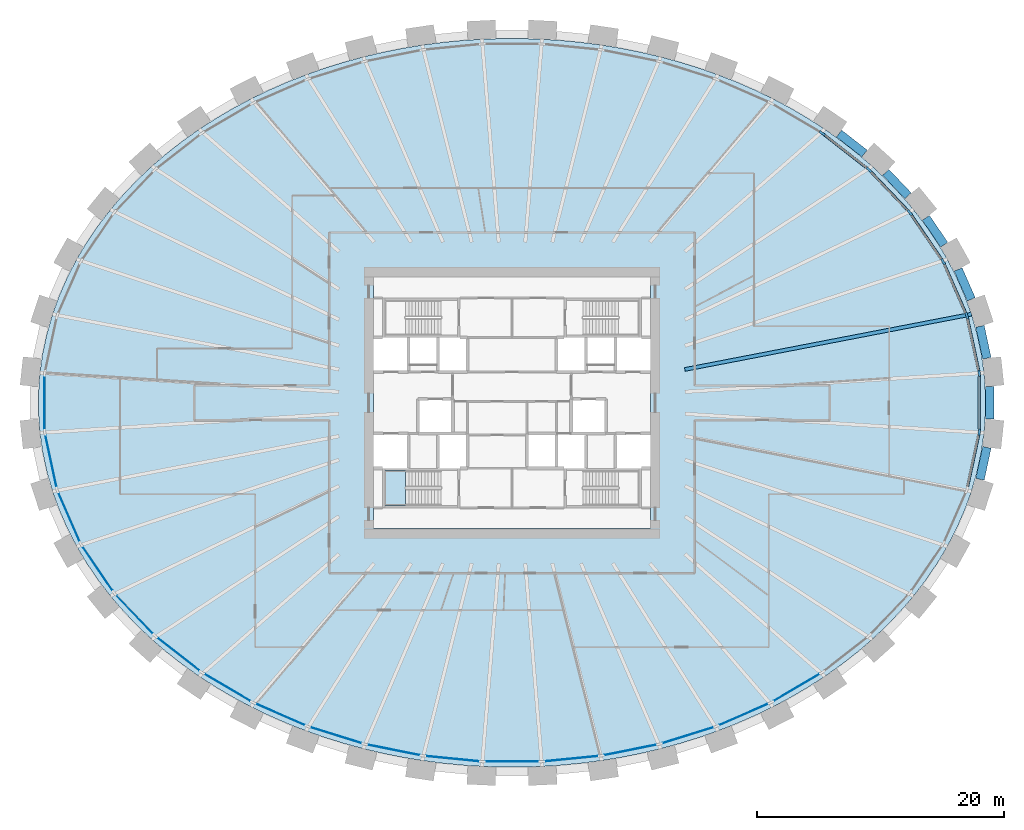
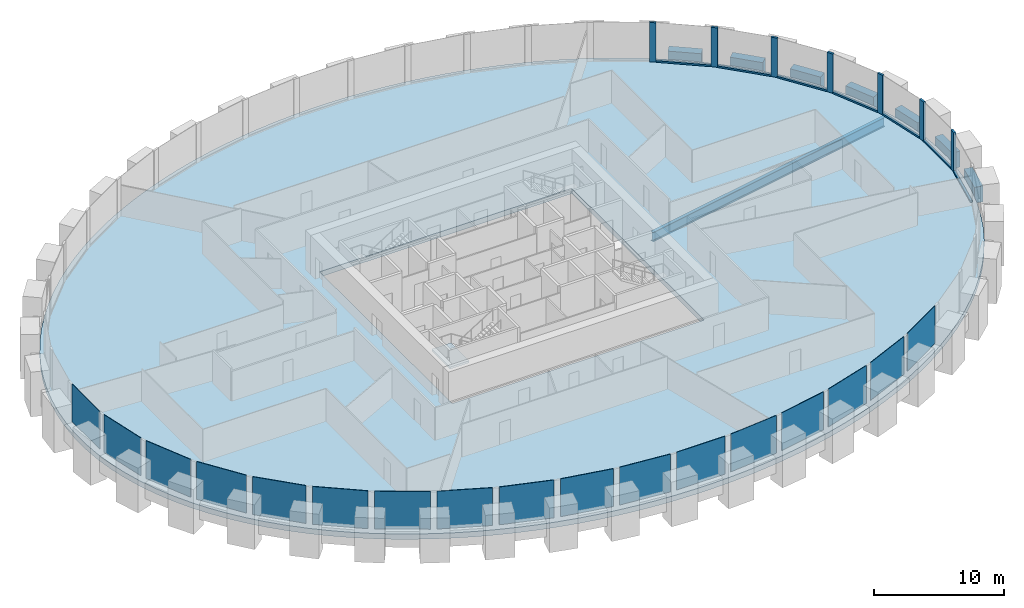
# One storey, part 4 of 11: 17 plates, 14 members, 8 beams, 2 slabs, 2 elements without a shape of their own.
"""IFC4 building model written with IfcOpenShell, lengths in metres."""

from ifc_helpers import new_model, si_unit, direction, frame, origin, origin_2d, place, context, subcontext, project, spatial, polyline, rectangle, i_section, outline, extrude, source, transform, mapped, material, layer, layer_set, material_profile, profile_set, type_object, element, aggregate, save


model = new_model("IFC4")

# Units and contexts
model_context = context("Model", 3, precision=1e-05, world=origin(), true_north=direction((0.0, 1.0)))
body_context = subcontext(model_context, "Body", "Model", "MODEL_VIEW")
ifc_project = project(units=[si_unit("LENGTHUNIT", "METRE"), si_unit("AREAUNIT", "SQUARE_METRE"), si_unit("VOLUMEUNIT", "CUBIC_METRE"), si_unit("PLANEANGLEUNIT", "RADIAN"), si_unit("MASSUNIT", "GRAM", prefix="KILO")], contexts=[model_context])

# Site, building, storey
site_placement = place(None, origin())
site = spatial("IfcSite", under=ifc_project, at=site_placement, CompositionType="ELEMENT")
building_placement = place(site_placement, origin())
building = spatial("IfcBuilding", under=site, at=building_placement, Name="Embergate Tower", CompositionType="ELEMENT")
storey_placement = place(building_placement, frame((0.0, 0.0, 132.0)))
storey = spatial("IfcBuildingStorey", under=building, at=storey_placement, Name="L28", CompositionType="ELEMENT", Elevation=132.0)

# Beams
ifc_material_1 = material(Name="Concrete C70", Category="concrete")
ifc_material_profile_1 = material_profile(ifc_material_1, rectangle(XDim=0.699951171875, YDim=1.5, at=origin_2d()), Name="RC 700x1500")
ifc_profile_set_1 = profile_set([ifc_material_profile_1], Name="Concrete C70")
beam_type_1 = type_object("IfcBeamType", Name="Spandrel beam RC 700x1500 C70", PredefinedType="BEAM", material=ifc_profile_set_1)
shared_shape_1 = source(origin(), body_context, "Body", "SweptSolid", [
    extrude(rectangle(XDim=0.699951171875, YDim=1.5, at=origin_2d()), origin(), (0.0, 0.0, 1.0), 2.644287109375),
])
for number, where, z_axis, x_axis, name in (
    (1, (38.462890625, 3.610107421875, 0.0), (-0.210600871974, 0.977572131724, 0.0), (-0.977572131724, -0.210600871974, 0.0), "SPN-L28-00"),
    (2, (37.906005859375, -6.195068359375, 0.0), (0.210600871974, 0.977572131724, 0.0), (-0.977572131724, 0.210600871974, 0.0), "SPN-L28-42"),
):
    element("IfcBeam", number, at=place(storey_placement, frame(where, z_axis=z_axis, x_axis=x_axis)), inside=storey, type_object=beam_type_1, Name=name, PredefinedType="BEAM", context=body_context, shape_type="MappedRepresentation", body=[
        mapped(shared_shape_1, transform((0.0, 0.0, 0.0))),
    ])
shared_shape_2 = source(origin(), body_context, "Body", "SweptSolid", [
    extrude(rectangle(XDim=0.699951171875, YDim=1.5, at=origin_2d()), origin(), (0.0, 0.0, 1.0), 2.640625),
])
beam_1_placement = place(storey_placement, frame((37.198974609375, 8.383056640625, 0.0), z_axis=(-0.401827456717, 0.915715400672, 0.0), x_axis=(-0.915715400672, -0.401827456717, 0.0)))
element("IfcBeam", 3, at=beam_1_placement, inside=storey, type_object=beam_type_1, Name="SPN-L28-01", PredefinedType="BEAM", context=body_context, shape_type="MappedRepresentation", body=[
    mapped(shared_shape_2, transform((0.0, 0.0, 0.0))),
])
shared_shape_3 = source(origin(), body_context, "Body", "SweptSolid", [
    extrude(rectangle(XDim=0.699951171875, YDim=1.5, at=origin_2d()), origin(), (0.0, 0.0, 1.0), 2.63037109375),
])
beam_2_placement = place(storey_placement, frame((35.007080078125, 12.803955078125, 0.0), z_axis=(-0.562302404878, 0.826931681258, 0.0), x_axis=(-0.826931681258, -0.562302404878, 0.0)))
element("IfcBeam", 4, at=beam_2_placement, inside=storey, type_object=beam_type_1, Name="SPN-L28-02", PredefinedType="BEAM", context=body_context, shape_type="MappedRepresentation", body=[
    mapped(shared_shape_3, transform((0.0, 0.0, 0.0))),
])
shared_shape_4 = source(origin(), body_context, "Body", "SweptSolid", [
    extrude(rectangle(XDim=0.699951171875, YDim=1.5, at=origin_2d()), origin(), (0.0, 0.0, 1.0), 2.6240234375),
])
beam_3_placement = place(storey_placement, frame((32.08203125, 16.76806640625, 0.0), z_axis=(-0.690161462012, 0.723655412716, 0.0), x_axis=(-0.723655412716, -0.690161462012, 0.0)))
element("IfcBeam", 5, at=beam_3_placement, inside=storey, type_object=beam_type_1, Name="SPN-L28-03", PredefinedType="BEAM", context=body_context, shape_type="MappedRepresentation", body=[
    mapped(shared_shape_4, transform((0.0, 0.0, 0.0))),
])
shared_shape_5 = source(origin(), body_context, "Body", "SweptSolid", [
    extrude(rectangle(XDim=0.699951171875, YDim=1.5, at=origin_2d()), origin(), (0.0, 0.0, 1.0), 2.617431640625),
])
beam_4_placement = place(storey_placement, frame((28.552978515625, 20.196044921875, 0.0), z_axis=(-0.788185558189, 0.615437670169, 0.0), x_axis=(-0.615437670169, -0.788185558189, 0.0)))
element("IfcBeam", 6, at=beam_4_placement, inside=storey, type_object=beam_type_1, Name="SPN-L28-04", PredefinedType="BEAM", context=body_context, shape_type="MappedRepresentation", body=[
    mapped(shared_shape_5, transform((0.0, 0.0, 0.0))),
])
shared_shape_6 = source(origin(), body_context, "Body", "SweptSolid", [
    extrude(rectangle(XDim=0.699951171875, YDim=1.5, at=origin_2d()), origin(), (0.0, 0.0, 1.0), 2.64599609375),
])
beam_5_placement = place(storey_placement, frame((38.7060546875, -1.322998046875, 0.0), z_axis=(0.0, 1.0, 0.0), x_axis=(-1.0, 0.0, 0.0)))
element("IfcBeam", 7, at=beam_5_placement, inside=storey, type_object=beam_type_1, Name="SPN-L28-43", PredefinedType="BEAM", context=body_context, shape_type="MappedRepresentation", body=[
    mapped(shared_shape_6, transform((0.0, 0.0, 0.0))),
])
ifc_material_2 = material(Name="Steel Q355B", Category="steel")
ifc_material_profile_2 = material_profile(ifc_material_2, i_section(OverallWidth=0.300048828125, OverallDepth=0.89990234375, WebThickness=0.01611328125, FlangeThickness=0.028076171875, FilletRadius=0.028076171875, at=origin_2d()), Name="HN 900x300x16x28")
ifc_profile_set_2 = profile_set([ifc_material_profile_2], Name="Steel Q355 grade B")
beam_type_2 = type_object("IfcBeamType", Name="Radial girder HN 900x300x16x28", PredefinedType="BEAM", material=ifc_profile_set_2)
shared_shape_7 = source(origin(), body_context, "Body", "SweptSolid", [
    extrude(i_section(OverallWidth=0.300048828125, OverallDepth=0.89990234375, WebThickness=0.01611328125, FlangeThickness=0.028076171875, FilletRadius=0.028076171875, at=origin_2d()), origin(), (0.0, 0.0, 1.0), 23.64208984375),
])
beam_6_placement = place(storey_placement, frame((37.214111328125, 7.178955078125, -0.949951171875), z_axis=(-0.981898233301, -0.189409238, 0.0), x_axis=(0.189409238, -0.981898233301, 0.0)))
element("IfcBeam", 8, at=beam_6_placement, inside=storey, type_object=beam_type_2, Name="GIR-L28-01", PredefinedType="BEAM", context=body_context, shape_type="MappedRepresentation", body=[
    mapped(shared_shape_7, transform((0.0, 0.0, 0.0))),
])

# Curtain wall, members
ifc_material_3 = material(Name="Aluminium and glass", Category="aluminium")
curtain_wall_type = type_object("IfcCurtainWallType", Name="Recessed office glazing", PredefinedType="NOTDEFINED", material=ifc_material_3)
curtain_wall_placement = place(storey_placement, origin())
curtain_wall = element("IfcCurtainWall", 9, at=curtain_wall_placement, inside=storey, type_object=curtain_wall_type, Name="Recessed office glazing ring", ObjectType="RECESSED OFFICE GLAZING", PredefinedType="USERDEFINED")
ifc_material_4 = material(Name="Aluminium, thermally broken", Category="aluminium")
ifc_material_profile_3 = material_profile(ifc_material_4, rectangle(XDim=0.179931640625, YDim=0.52001953125, at=origin_2d()), Name="AL 520x180")
ifc_profile_set_3 = profile_set([ifc_material_profile_3], Name="Aluminium, thermally broken")
member_type_1 = type_object("IfcMemberType", Name="Office mullion", PredefinedType="MULLION", material=ifc_profile_set_3)
shared_shape_8 = source(origin(), body_context, "Body", "SweptSolid", [
    extrude(rectangle(XDim=0.179931640625, YDim=0.52001953125, at=origin_2d()), origin(), (0.0, 0.0, 1.0), 3.699951171875),
])
member_1_placement = place(storey_placement, frame((37.84814453125, 2.38720703125, 0.0), z_axis=(0.0, 0.0, 1.0), x_axis=(-0.994384954736, -0.105823257345, 0.0)))
member_1 = element("IfcMember", 10, at=member_1_placement, type_object=member_type_1, Name="CW mullion 1", PredefinedType="MULLION", context=body_context, shape_type="MappedRepresentation", body=[
    mapped(shared_shape_8, transform((0.0, 0.0, 0.0))),
])
member_2_placement = place(storey_placement, frame((36.843017578125, 7.0576171875, 0.0), z_axis=(0.0, 0.0, 1.0), x_axis=(-0.951498334951, -0.307653894149, 0.0)))
member_2 = element("IfcMember", 11, at=member_2_placement, type_object=member_type_1, Name="CW mullion 2", PredefinedType="MULLION", context=body_context, shape_type="MappedRepresentation", body=[
    mapped(shared_shape_8, transform((0.0, 0.0, 0.0))),
])
member_3_placement = place(storey_placement, frame((34.92138671875, 11.43896484375, 0.0), z_axis=(0.0, 0.0, 1.0), x_axis=(-0.875001895832, -0.484119491748, 0.0)))
member_3 = element("IfcMember", 12, at=member_3_placement, type_object=member_type_1, Name="CW mullion 3", PredefinedType="MULLION", context=body_context, shape_type="MappedRepresentation", body=[
    mapped(shared_shape_8, transform((0.0, 0.0, 0.0))),
])
member_4_placement = place(storey_placement, frame((32.22607421875, 15.40234375, 0.0), z_axis=(0.0, 0.0, 1.0), x_axis=(-0.777872564355, -0.628422050555, 0.0)))
member_4 = element("IfcMember", 13, at=member_4_placement, type_object=member_type_1, Name="CW mullion 4", PredefinedType="MULLION", context=body_context, shape_type="MappedRepresentation", body=[
    mapped(shared_shape_8, transform((0.0, 0.0, 0.0))),
])
member_5_placement = place(storey_placement, frame((28.912109375, 18.87744140625, 0.0), z_axis=(0.0, 0.0, 1.0), x_axis=(-0.671225240226, -0.741253449829, 0.0)))
member_5 = element("IfcMember", 14, at=member_5_placement, type_object=member_type_1, Name="CW mullion 5", PredefinedType="MULLION", context=body_context, shape_type="MappedRepresentation", body=[
    mapped(shared_shape_8, transform((0.0, 0.0, 0.0))),
])
member_6_placement = place(storey_placement, frame((25.12060546875, 21.83642578125, 0.0), z_axis=(0.0, 0.0, 1.0), x_axis=(-0.562214731803, -0.826991290972, 0.0)))
member_6 = element("IfcMember", 15, at=member_6_placement, type_object=member_type_1, Name="CW mullion 6", PredefinedType="MULLION", context=body_context, shape_type="MappedRepresentation", body=[
    mapped(shared_shape_8, transform((0.0, 0.0, 0.0))),
])
member_7_placement = place(storey_placement, frame((37.84814453125, -2.38720703125, 0.0), z_axis=(0.0, 0.0, 1.0), x_axis=(-0.994384954736, 0.105823257345, 0.0)))
member_7 = element("IfcMember", 16, at=member_7_placement, type_object=member_type_1, Name="CW mullion 44", PredefinedType="MULLION", context=body_context, shape_type="MappedRepresentation", body=[
    mapped(shared_shape_8, transform((0.0, 0.0, 0.0))),
])
ifc_material_profile_4 = material_profile(ifc_material_4, rectangle(XDim=0.179931640625, YDim=0.14990234375, at=origin_2d()), Name="AL 150x180")
ifc_profile_set_4 = profile_set([ifc_material_profile_4], Name="Aluminium, thermally broken")
member_type_2 = type_object("IfcMemberType", Name="Office sill transom", PredefinedType="USERDEFINED", material=ifc_profile_set_4)
shared_shape_9 = source(origin(), body_context, "Body", "SweptSolid", [
    extrude(rectangle(XDim=0.179931640625, YDim=0.14990234375, at=origin_2d()), origin(), (0.0, 0.0, 1.0), 4.25732421875),
])
member_8_placement = place(storey_placement, frame((37.79345703125, 2.641357421875, 0.074951171875), z_axis=(-0.210398410423, 0.977615726598, 0.0), x_axis=(-0.977615726598, -0.210398410423, 0.0)))
member_8 = element("IfcMember", 17, at=member_8_placement, type_object=member_type_2, Name="CW transom 1.1", ObjectType="TRANSOM", PredefinedType="USERDEFINED", context=body_context, shape_type="MappedRepresentation", body=[
    mapped(shared_shape_9, transform((0.0, 0.0, 0.0))),
])
member_9_placement = place(storey_placement, frame((36.897705078125, -6.803466796875, 0.074951171875), z_axis=(0.210398410423, 0.977615726598, 0.0), x_axis=(-0.977615726598, 0.210398410423, 0.0)))
member_9 = element("IfcMember", 18, at=member_9_placement, type_object=member_type_2, Name="CW transom 43.1", ObjectType="TRANSOM", PredefinedType="USERDEFINED", context=body_context, shape_type="MappedRepresentation", body=[
    mapped(shared_shape_9, transform((0.0, 0.0, 0.0))),
])
shared_shape_10 = source(origin(), body_context, "Body", "SweptSolid", [
    extrude(rectangle(XDim=0.179931640625, YDim=0.14990234375, at=origin_2d()), origin(), (0.0, 0.0, 1.0), 4.26416015625),
])
member_10_placement = place(storey_placement, frame((36.738525390625, 7.295654296875, 0.074951171875), z_axis=(-0.401644646583, 0.915795598303, 0.0), x_axis=(-0.915795598303, -0.401644646583, 0.0)))
member_10 = element("IfcMember", 19, at=member_10_placement, type_object=member_type_2, Name="CW transom 2.1", ObjectType="TRANSOM", PredefinedType="USERDEFINED", context=body_context, shape_type="MappedRepresentation", body=[
    mapped(shared_shape_10, transform((0.0, 0.0, 0.0))),
])
shared_shape_11 = source(origin(), body_context, "Body", "SweptSolid", [
    extrude(rectangle(XDim=0.179931640625, YDim=0.14990234375, at=origin_2d()), origin(), (0.0, 0.0, 1.0), 4.273193359375),
])
member_11_placement = place(storey_placement, frame((34.775146484375, 11.65380859375, 0.074951171875), z_axis=(-0.562297519714, 0.826935003083, 0.0), x_axis=(-0.826935003083, -0.562297519714, 0.0)))
member_11 = element("IfcMember", 20, at=member_11_placement, type_object=member_type_2, Name="CW transom 3.1", ObjectType="TRANSOM", PredefinedType="USERDEFINED", context=body_context, shape_type="MappedRepresentation", body=[
    mapped(shared_shape_11, transform((0.0, 0.0, 0.0))),
])
shared_shape_12 = source(origin(), body_context, "Body", "SweptSolid", [
    extrude(rectangle(XDim=0.179931640625, YDim=0.14990234375, at=origin_2d()), origin(), (0.0, 0.0, 1.0), 4.28173828125),
])
member_12_placement = place(storey_placement, frame((32.04638671875, 15.590576171875, 0.074951171875), z_axis=(-0.690114923588, 0.72369979428, 0.0), x_axis=(-0.72369979428, -0.690114923588, 0.0)))
member_12 = element("IfcMember", 21, at=member_12_placement, type_object=member_type_2, Name="CW transom 4.1", ObjectType="TRANSOM", PredefinedType="USERDEFINED", context=body_context, shape_type="MappedRepresentation", body=[
    mapped(shared_shape_12, transform((0.0, 0.0, 0.0))),
])
shared_shape_13 = source(origin(), body_context, "Body", "SweptSolid", [
    extrude(rectangle(XDim=0.179931640625, YDim=0.14990234375, at=origin_2d()), origin(), (0.0, 0.0, 1.0), 4.289306640625),
])
member_13_placement = place(storey_placement, frame((28.70703125, 19.037353515625, 0.074951171875), z_axis=(-0.788309050115, 0.615279482436, 0.0), x_axis=(-0.615279482436, -0.788309050115, 0.0)))
member_13 = element("IfcMember", 22, at=member_13_placement, type_object=member_type_2, Name="CW transom 5.1", ObjectType="TRANSOM", PredefinedType="USERDEFINED", context=body_context, shape_type="MappedRepresentation", body=[
    mapped(shared_shape_13, transform((0.0, 0.0, 0.0))),
])
shared_shape_14 = source(origin(), body_context, "Body", "SweptSolid", [
    extrude(rectangle(XDim=0.179931640625, YDim=0.14990234375, at=origin_2d()), origin(), (0.0, 0.0, 1.0), 4.25439453125),
])
member_14_placement = place(storey_placement, frame((37.84814453125, -2.127197265625, 0.074951171875), z_axis=(0.0, 1.0, 0.0), x_axis=(-1.0, 0.0, 0.0)))
member_14 = element("IfcMember", 23, at=member_14_placement, type_object=member_type_2, Name="CW transom 44.1", ObjectType="TRANSOM", PredefinedType="USERDEFINED", context=body_context, shape_type="MappedRepresentation", body=[
    mapped(shared_shape_14, transform((0.0, 0.0, 0.0))),
])

# Slab
ifc_material_5 = material(Name="Concrete C40", Category="concrete")
ifc_layer_1 = layer(ifc_material_5, 0.5)
ifc_layer_set_1 = layer_set([ifc_layer_1], Name="Concrete C40")
slab_type_1 = type_object("IfcSlabType", Name="Composite floor slab C40 500", PredefinedType="FLOOR", material=ifc_layer_set_1)
shared_shape_15 = source(origin(), body_context, "Body", "SweptSolid", [
    extrude(outline(polyline([(0.0, 0.0), (1.6220703125, 0.0), (3.244140625, 0.052001953125), (4.865966796875, 0.157958984375), (6.48095703125, 0.31689453125), (8.0849609375, 0.52783203125), (9.693115234375, 0.794921875), (11.283935546875, 1.11376953125), (12.85498046875, 1.48486328125), (14.43115234375, 1.914794921875), (15.97998046875, 2.39794921875), (17.5, 2.931884765625), (19.02294921875, 3.52978515625), (20.510009765625, 4.179931640625), (21.95703125, 4.8798828125), (23.403076171875, 5.65283203125), (24.802001953125, 6.474853515625), (26.150146484375, 7.345947265625), (27.489013671875, 8.2958984375), (28.76806640625, 9.2939453125), (29.984130859375, 10.337890625), (31.177001953125, 11.4677734375), (32.297119140625, 12.641845703125), (33.340087890625, 13.85693359375), (34.340087890625, 15.159912109375), (35.251953125, 16.5009765625), (36.072998046875, 17.8759765625), (36.825927734375, 19.331787109375), (37.47705078125, 20.81689453125), (38.025146484375, 22.326904296875), (38.47705078125, 23.894775390625), (38.818115234375, 25.47900390625), (39.047119140625, 27.075927734375), (39.1630859375, 28.69482421875), (39.1630859375, 30.31494140625), (39.047119140625, 31.933837890625), (38.818115234375, 33.53076171875), (38.47705078125, 35.114990234375), (38.025146484375, 36.682861328125), (37.47705078125, 38.19287109375), (36.825927734375, 39.677978515625), (36.072998046875, 41.1337890625), (35.251953125, 42.5087890625), (34.340087890625, 43.849853515625), (33.340087890625, 45.15283203125), (32.297119140625, 46.367919921875), (31.177001953125, 47.5419921875), (29.984130859375, 48.671875), (28.76806640625, 49.7158203125), (27.489013671875, 50.7138671875), (26.150146484375, 51.663818359375), (24.802001953125, 52.534912109375), (23.403076171875, 53.35693359375), (21.95703125, 54.1298828125), (20.510009765625, 54.829833984375), (19.02294921875, 55.47998046875), (17.5, 56.077880859375), (15.97998046875, 56.61181640625), (14.43115234375, 57.094970703125), (12.85498046875, 57.52490234375), (11.283935546875, 57.89599609375), (9.693115234375, 58.21484375), (8.0849609375, 58.48193359375), (6.48095703125, 58.69287109375), (4.865966796875, 58.851806640625), (3.244140625, 58.957763671875), (1.6220703125, 59.009765625), (0.0, 59.009765625), (-1.6220703125, 58.957763671875), (-3.243896484375, 58.851806640625), (-4.85888671875, 58.69287109375), (-6.462890625, 58.48193359375), (-8.071044921875, 58.21484375), (-9.661865234375, 57.89599609375), (-11.23291015625, 57.52490234375), (-12.80908203125, 57.094970703125), (-14.35791015625, 56.61181640625), (-15.8779296875, 56.077880859375), (-17.40087890625, 55.47998046875), (-18.887939453125, 54.829833984375), (-20.3349609375, 54.1298828125), (-21.781005859375, 53.35693359375), (-23.179931640625, 52.534912109375), (-24.528076171875, 51.663818359375), (-25.866943359375, 50.7138671875), (-27.14599609375, 49.7158203125), (-28.362060546875, 48.671875), (-29.554931640625, 47.5419921875), (-30.675048828125, 46.367919921875), (-31.718017578125, 45.15283203125), (-32.718017578125, 43.849853515625), (-33.6298828125, 42.5087890625), (-34.450927734375, 41.1337890625), (-35.203857421875, 39.677978515625), (-35.85498046875, 38.19287109375), (-36.403076171875, 36.682861328125), (-36.85498046875, 35.114990234375), (-37.196044921875, 33.53076171875), (-37.425048828125, 31.933837890625), (-37.541015625, 30.31494140625), (-37.541015625, 28.69482421875), (-37.425048828125, 27.075927734375), (-37.196044921875, 25.47900390625), (-36.85498046875, 23.894775390625), (-36.403076171875, 22.326904296875), (-35.85498046875, 20.81689453125), (-35.203857421875, 19.331787109375), (-34.450927734375, 17.8759765625), (-33.6298828125, 16.5009765625), (-32.718017578125, 15.159912109375), (-31.718017578125, 13.85693359375), (-30.675048828125, 12.641845703125), (-29.554931640625, 11.4677734375), (-28.362060546875, 10.337890625), (-27.14599609375, 9.2939453125), (-25.866943359375, 8.2958984375), (-24.528076171875, 7.345947265625), (-23.179931640625, 6.474853515625), (-21.781005859375, 5.65283203125), (-20.3349609375, 4.8798828125), (-18.887939453125, 4.179931640625), (-17.40087890625, 3.52978515625), (-15.8779296875, 2.931884765625), (-14.35791015625, 2.39794921875), (-12.80908203125, 1.914794921875), (-11.23291015625, 1.48486328125), (-9.661865234375, 1.11376953125), (-8.071044921875, 0.794921875), (-6.462890625, 0.52783203125), (-4.85888671875, 0.31689453125), (-3.243896484375, 0.157958984375), (-1.6220703125, 0.052001953125), (0.0, 0.0)]), holes=[polyline([(-10.388916015625, 19.304931640625), (-10.388916015625, 39.704833984375), (12.010986328125, 39.704833984375), (12.010986328125, 19.304931640625), (-10.388916015625, 19.304931640625)])]), origin(), (0.0, 0.0, 1.0), 0.5),
])
slab_1_placement = place(storey_placement, frame((-0.81103515625, -29.5048828125, -0.5)))
element("IfcSlab", 24, at=slab_1_placement, inside=storey, type_object=slab_type_1, Name="SLB-L28-00", PredefinedType="FLOOR", context=body_context, shape_type="MappedRepresentation", body=[
    mapped(shared_shape_15, transform((0.0, 0.0, 0.0))),
])

# Plate
ifc_material_6 = material(Name="Triple glazing, low-emissivity coating", Category="glass")
ifc_layer_2 = layer(ifc_material_6, 0.035888671875)
ifc_layer_set_2 = layer_set([ifc_layer_2], Name="Triple glazing, low-emissivity coating")
plate_type = type_object("IfcPlateType", Name="Office glazing unit", PredefinedType="CURTAIN_PANEL", material=ifc_layer_set_2)
shared_shape_16 = source(origin(), body_context, "Body", "SweptSolid", [
    extrude(rectangle(XDim=4.257080078125, YDim=0.035888671875, at=origin_2d()), origin(), (0.0, 0.0, 1.0), 3.550048828125),
])
plate_1_placement = place(storey_placement, frame((-37.345458984375, -4.722412109375, 0.14990234375), z_axis=(0.0, 0.0, 1.0), x_axis=(0.210398391177, -0.97761573074, 0.0)))
plate_1 = element("IfcPlate", 25, at=plate_1_placement, type_object=plate_type, Name="CW panel 23.1", PredefinedType="CURTAIN_PANEL", context=body_context, shape_type="MappedRepresentation", body=[
    mapped(shared_shape_16, transform((0.0, 0.0, 0.0))),
])

shared_shape_17 = source(origin(), body_context, "Body", "SweptSolid", [
    extrude(rectangle(XDim=4.26416015625, YDim=0.035888671875, at=origin_2d()), origin(), (0.0, 0.0, 1.0), 3.550048828125),
])
plate_2_placement = place(storey_placement, frame((-35.882080078125, -9.248291015625, 0.14990234375), z_axis=(0.0, 0.0, 1.0), x_axis=(0.401655297873, -0.915790926844, 0.0)))
plate_2 = element("IfcPlate", 26, at=plate_2_placement, type_object=plate_type, Name="CW panel 24.1", PredefinedType="CURTAIN_PANEL", context=body_context, shape_type="MappedRepresentation", body=[
    mapped(shared_shape_17, transform((0.0, 0.0, 0.0))),
])

shared_shape_18 = source(origin(), body_context, "Body", "SweptSolid", [
    extrude(rectangle(XDim=4.273193359375, YDim=0.035888671875, at=origin_2d()), origin(), (0.0, 0.0, 1.0), 3.550048828125),
])
plate_3_placement = place(storey_placement, frame((-33.573486328125, -13.420654296875, 0.14990234375), z_axis=(0.0, 0.0, 1.0), x_axis=(0.562344628355, -0.826902968286, 0.0)))
plate_3 = element("IfcPlate", 27, at=plate_3_placement, type_object=plate_type, Name="CW panel 25.1", PredefinedType="CURTAIN_PANEL", context=body_context, shape_type="MappedRepresentation", body=[
    mapped(shared_shape_18, transform((0.0, 0.0, 0.0))),
])

shared_shape_19 = source(origin(), body_context, "Body", "SweptSolid", [
    extrude(rectangle(XDim=4.28173828125, YDim=0.035888671875, at=origin_2d()), origin(), (0.0, 0.0, 1.0), 3.550048828125),
])
plate_4_placement = place(storey_placement, frame((-30.569091796875, -17.139892578125, 0.14990234375), z_axis=(0.0, 0.0, 1.0), x_axis=(0.690136310586, -0.723679399189, 0.0)))
plate_4 = element("IfcPlate", 28, at=plate_4_placement, type_object=plate_type, Name="CW panel 26.1", PredefinedType="CURTAIN_PANEL", context=body_context, shape_type="MappedRepresentation", body=[
    mapped(shared_shape_19, transform((0.0, 0.0, 0.0))),
])

shared_shape_20 = source(origin(), body_context, "Body", "SweptSolid", [
    extrude(rectangle(XDim=4.289306640625, YDim=0.035888671875, at=origin_2d()), origin(), (0.0, 0.0, 1.0), 3.550048828125),
])
plate_5_placement = place(storey_placement, frame((-27.016357421875, -20.35693359375, 0.14990234375), z_axis=(0.0, 0.0, 1.0), x_axis=(0.788322266931, -0.615262548398, 0.0)))
plate_5 = element("IfcPlate", 29, at=plate_5_placement, type_object=plate_type, Name="CW panel 27.1", PredefinedType="CURTAIN_PANEL", context=body_context, shape_type="MappedRepresentation", body=[
    mapped(shared_shape_20, transform((0.0, 0.0, 0.0))),
])

shared_shape_21 = source(origin(), body_context, "Body", "SweptSolid", [
    extrude(rectangle(XDim=4.29541015625, YDim=0.035888671875, at=origin_2d()), origin(), (0.0, 0.0, 1.0), 3.550048828125),
])
plate_6_placement = place(storey_placement, frame((-23.045166015625, -23.056640625, 0.14990234375), z_axis=(0.0, 0.0, 1.0), x_axis=(0.862054052374, -0.506816348183, 0.0)))
plate_6 = element("IfcPlate", 30, at=plate_6_placement, type_object=plate_type, Name="CW panel 28.1", PredefinedType="CURTAIN_PANEL", context=body_context, shape_type="MappedRepresentation", body=[
    mapped(shared_shape_21, transform((0.0, 0.0, 0.0))),
])

plate_7_placement = place(storey_placement, frame((23.045166015625, -23.056640625, 0.14990234375), z_axis=(0.0, 0.0, 1.0), x_axis=(0.862054052374, 0.506816348183, 0.0)))
plate_7 = element("IfcPlate", 31, at=plate_7_placement, type_object=plate_type, Name="CW panel 38.1", PredefinedType="CURTAIN_PANEL", context=body_context, shape_type="MappedRepresentation", body=[
    mapped(shared_shape_21, transform((0.0, 0.0, 0.0))),
])

shared_shape_22 = source(origin(), body_context, "Body", "SweptSolid", [
    extrude(rectangle(XDim=4.2998046875, YDim=0.035888671875, at=origin_2d()), origin(), (0.0, 0.0, 1.0), 3.550048828125),
])
plate_8_placement = place(storey_placement, frame((-18.761474609375, -25.242431640625, 0.14990234375), z_axis=(0.0, 0.0, 1.0), x_axis=(0.916236910986, -0.400636896638, 0.0)))
plate_8 = element("IfcPlate", 32, at=plate_8_placement, type_object=plate_type, Name="CW panel 29.1", PredefinedType="CURTAIN_PANEL", context=body_context, shape_type="MappedRepresentation", body=[
    mapped(shared_shape_22, transform((0.0, 0.0, 0.0))),
])

plate_9_placement = place(storey_placement, frame((18.761474609375, -25.242431640625, 0.14990234375), z_axis=(0.0, 0.0, 1.0), x_axis=(0.916236910986, 0.400636896638, 0.0)))
plate_9 = element("IfcPlate", 33, at=plate_9_placement, type_object=plate_type, Name="CW panel 37.1", PredefinedType="CURTAIN_PANEL", context=body_context, shape_type="MappedRepresentation", body=[
    mapped(shared_shape_22, transform((0.0, 0.0, 0.0))),
])

shared_shape_23 = source(origin(), body_context, "Body", "SweptSolid", [
    extrude(rectangle(XDim=4.30322265625, YDim=0.035888671875, at=origin_2d()), origin(), (0.0, 0.0, 1.0), 3.550048828125),
])
plate_10_placement = place(storey_placement, frame((-14.2509765625, -26.925048828125, 0.14990234375), z_axis=(0.0, 0.0, 1.0), x_axis=(0.954772736126, -0.297336547283, 0.0)))
plate_10 = element("IfcPlate", 34, at=plate_10_placement, type_object=plate_type, Name="CW panel 30.1", PredefinedType="CURTAIN_PANEL", context=body_context, shape_type="MappedRepresentation", body=[
    mapped(shared_shape_23, transform((0.0, 0.0, 0.0))),
])

plate_11_placement = place(storey_placement, frame((14.2509765625, -26.925048828125, 0.14990234375), z_axis=(0.0, 0.0, 1.0), x_axis=(0.954772736126, 0.297336547283, 0.0)))
plate_11 = element("IfcPlate", 35, at=plate_11_placement, type_object=plate_type, Name="CW panel 36.1", PredefinedType="CURTAIN_PANEL", context=body_context, shape_type="MappedRepresentation", body=[
    mapped(shared_shape_23, transform((0.0, 0.0, 0.0))),
])

shared_shape_24 = source(origin(), body_context, "Body", "SweptSolid", [
    extrude(rectangle(XDim=4.305419921875, YDim=0.035888671875, at=origin_2d()), origin(), (0.0, 0.0, 1.0), 3.550048828125),
])
plate_12_placement = place(storey_placement, frame((-9.582763671875, -28.116455078125, 0.14990234375), z_axis=(0.0, 0.0, 1.0), x_axis=(0.980475907409, -0.196639250889, 0.0)))
plate_12 = element("IfcPlate", 36, at=plate_12_placement, type_object=plate_type, Name="CW panel 31.1", PredefinedType="CURTAIN_PANEL", context=body_context, shape_type="MappedRepresentation", body=[
    mapped(shared_shape_24, transform((0.0, 0.0, 0.0))),
])

plate_13_placement = place(storey_placement, frame((9.582763671875, -28.116455078125, 0.14990234375), z_axis=(0.0, 0.0, 1.0), x_axis=(0.980475907409, 0.196639250889, 0.0)))
plate_13 = element("IfcPlate", 37, at=plate_13_placement, type_object=plate_type, Name="CW panel 35.1", PredefinedType="CURTAIN_PANEL", context=body_context, shape_type="MappedRepresentation", body=[
    mapped(shared_shape_24, transform((0.0, 0.0, 0.0))),
])

shared_shape_25 = source(origin(), body_context, "Body", "SweptSolid", [
    extrude(rectangle(XDim=4.306640625, YDim=0.035888671875, at=origin_2d()), origin(), (0.0, 0.0, 1.0), 3.550048828125),
])
plate_14_placement = place(storey_placement, frame((-4.815185546875, -28.826904296875, 0.14990234375), z_axis=(0.0, 0.0, 1.0), x_axis=(0.995203355531, -0.09782781373, 0.0)))
plate_14 = element("IfcPlate", 38, at=plate_14_placement, type_object=plate_type, Name="CW panel 32.1", PredefinedType="CURTAIN_PANEL", context=body_context, shape_type="MappedRepresentation", body=[
    mapped(shared_shape_25, transform((0.0, 0.0, 0.0))),
])

plate_15_placement = place(storey_placement, frame((4.815185546875, -28.826904296875, 0.14990234375), z_axis=(0.0, 0.0, 1.0), x_axis=(0.995203355531, 0.09782781373, 0.0)))
plate_15 = element("IfcPlate", 39, at=plate_15_placement, type_object=plate_type, Name="CW panel 34.1", PredefinedType="CURTAIN_PANEL", context=body_context, shape_type="MappedRepresentation", body=[
    mapped(shared_shape_25, transform((0.0, 0.0, 0.0))),
])

shared_shape_26 = source(origin(), body_context, "Body", "SweptSolid", [
    extrude(rectangle(XDim=4.30712890625, YDim=0.035888671875, at=origin_2d()), origin(), (0.0, 0.0, 1.0), 3.550048828125),
])
plate_16_placement = place(storey_placement, frame((0.0, -29.06298828125, 0.14990234375), z_axis=(0.0, 0.0, 1.0), x_axis=(1.0, 0.0, 0.0)))
plate_16 = element("IfcPlate", 40, at=plate_16_placement, type_object=plate_type, Name="CW panel 33.1", PredefinedType="CURTAIN_PANEL", context=body_context, shape_type="MappedRepresentation", body=[
    mapped(shared_shape_26, transform((0.0, 0.0, 0.0))),
])

shared_shape_27 = source(origin(), body_context, "Body", "SweptSolid", [
    extrude(rectangle(XDim=4.25439453125, YDim=0.035888671875, at=origin_2d()), origin(), (0.0, 0.0, 1.0), 3.550048828125),
])
plate_17_placement = place(storey_placement, frame((-37.84814453125, 0.0, 0.14990234375), z_axis=(0.0, 0.0, 1.0), x_axis=(0.0, -1.0, 0.0)))
plate_17 = element("IfcPlate", 41, at=plate_17_placement, type_object=plate_type, Name="CW panel 22.1", PredefinedType="CURTAIN_PANEL", context=body_context, shape_type="MappedRepresentation", body=[
    mapped(shared_shape_27, transform((0.0, 0.0, 0.0))),
])

aggregate(curtain_wall, [member_1, member_2, member_3, member_4, member_5, member_6, member_7, member_8, member_10, member_11, member_12, member_13, plate_17, plate_1, plate_2, plate_3, plate_4, plate_5, plate_6, plate_8, plate_10, plate_12, plate_14, plate_16, plate_15, plate_13, plate_11, plate_9, plate_7, member_9, member_14])

# Stair, slab
ifc_material_7 = material(Name="Exit stair")
stair_type = type_object("IfcStairType", Name="Exit stair", PredefinedType="HALF_TURN_STAIR", material=ifc_material_7)
stair_placement = place(storey_placement, origin())
stair = element("IfcStair", 42, at=stair_placement, inside=storey, type_object=stair_type, Name="L28 Exit stair 3", PredefinedType="HALF_TURN_STAIR")
ifc_layer_3 = layer(ifc_material_5, 0.199951171875)
ifc_layer_set_3 = layer_set([ifc_layer_3], Name="Concrete C40")
slab_type_2 = type_object("IfcSlabType", Name="Stair landing reinforced concrete", PredefinedType="LANDING", material=ifc_layer_set_3)
shared_shape_28 = source(origin(), body_context, "Body", "SweptSolid", [
    extrude(outline(polyline([(0.0, 0.0), (1.68994140625, 0.0), (1.68994140625, 2.800048828125), (0.0, 2.800048828125), (0.0, 0.0)])), origin(), (0.0, 0.0, 1.0), 0.199951171875),
])
slab_2_placement = place(storey_placement, frame((-10.300048828125, -8.300048828125, 1.75)))
slab_2 = element("IfcSlab", 43, at=slab_2_placement, type_object=slab_type_2, Name="ST3 landing 1", PredefinedType="LANDING", context=body_context, shape_type="MappedRepresentation", body=[
    mapped(shared_shape_28, transform((0.0, 0.0, 0.0))),
])
aggregate(stair, [slab_2])

save(model, "model.ifc")
